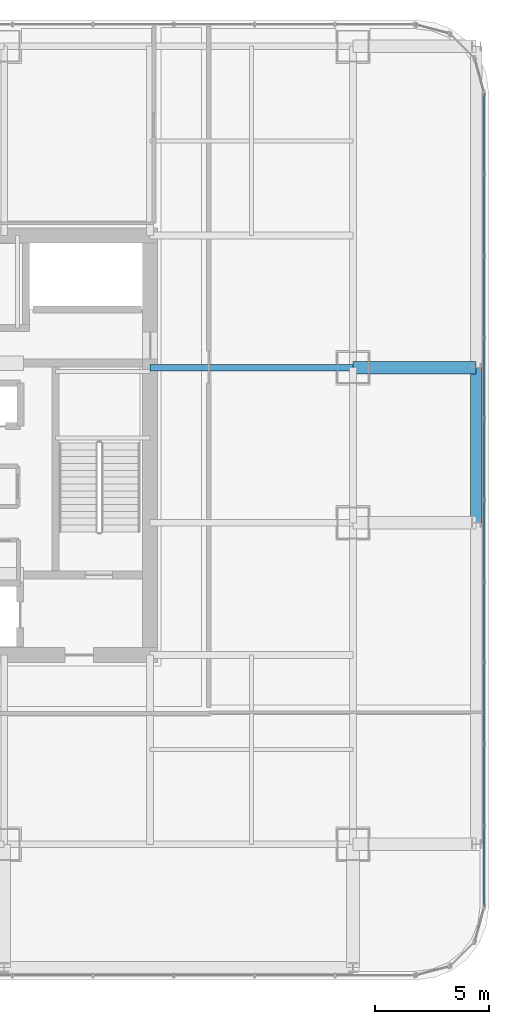
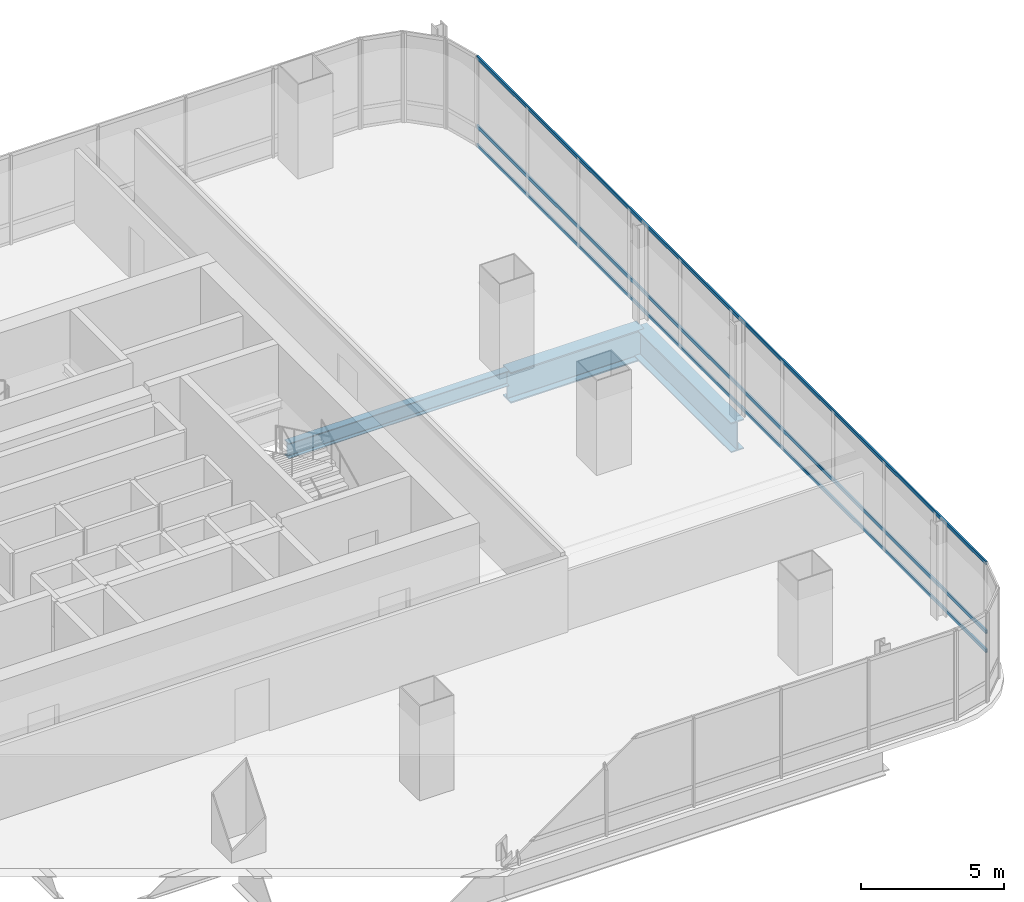
# One storey, part 18 of 36: 3 beams, 3 members, 1 element without a shape of its own.
"""IFC4 building model written with IfcOpenShell, lengths in metres."""

import ifcopenshell
import ifcopenshell.guid

model = None  # the IFC model being written
_history = None  # IfcOwnerHistory: only IFC2X3 demands one
_inside = {}  # id of a spatial element -> (the spatial element, [elements in it])
_under = {}  # id of a project, library or spatial element -> (it, [spatial elements below it])
_declared = {}  # id of a project -> (the project, [libraries it declares])
_typed = {}  # id of a type object -> (the type object, [elements of that type])
_made_of = {}  # id of a material, layer set ... -> (it, [elements and type objects made of it])


def new_model(schema):
    """Start an empty IFC model of exactly this schema.

    Asked for "IFC4X3", IfcOpenShell would pick the latest addendum, in which some entities
    have other attributes; the version numbers below select the first issue.
    IFC2X3 requires an IfcOwnerHistory on every rooted entity: one is made here for all.
    """
    global model, _history
    if schema == "IFC4X3":
        model = ifcopenshell.file(schema_version=(4, 3, 0, 0))
    else:
        model = ifcopenshell.file(schema=schema)
    _inside.clear()
    _under.clear()
    _declared.clear()
    _typed.clear()
    _made_of.clear()
    _history = None
    if model.schema == "IFC2X3":
        org = make("IfcOrganization", Name="unknown")
        user = make(
            "IfcPersonAndOrganization",
            ThePerson=make("IfcPerson", FamilyName="unknown"),
            TheOrganization=org,
        )
        app = make(
            "IfcApplication",
            ApplicationDeveloper=org,
            Version="unknown",
            ApplicationFullName="unknown",
            ApplicationIdentifier="unknown",
        )
        _history = make(
            "IfcOwnerHistory",
            OwningUser=user,
            OwningApplication=app,
            ChangeAction="ADDED",
            CreationDate=0,
        )
    return model


def make(cls, **values):
    """One entity of the class cls with the attributes given. An attribute that is None is left unset."""
    return model.create_entity(
        cls, **{name: value for name, value in values.items() if value is not None}
    )


def rooted(cls, **values):
    """An entity with a GlobalId (a new one), such as an element, a storey or a relation."""
    return make(cls, GlobalId=ifcopenshell.guid.new(), OwnerHistory=_history, **values)


def si_unit(unit_type, name, prefix=None):
    """IfcSIUnit, for example si_unit("LENGTHUNIT", "METRE", prefix="MILLI")."""
    return make("IfcSIUnit", UnitType=unit_type, Prefix=prefix, Name=name)


def assignment(units):
    """IfcUnitAssignment: the units of a project."""
    return None if units is None else make("IfcUnitAssignment", Units=units)


def point(xyz):
    """IfcCartesianPoint."""
    return None if xyz is None else make("IfcCartesianPoint", Coordinates=xyz)


def direction(xyz):
    """IfcDirection."""
    return None if xyz is None else make("IfcDirection", DirectionRatios=xyz)


def frame(location, z_axis=None, x_axis=None):
    """IfcAxis2Placement3D, a coordinate frame: its origin and axes. An axis left out is left unset."""
    return make(
        "IfcAxis2Placement3D",
        Location=point(location),
        Axis=direction(z_axis),
        RefDirection=direction(x_axis),
    )


def frame_2d(location, x_axis=None):
    """IfcAxis2Placement2D, a coordinate frame in the plane: its origin and x axis."""
    return make(
        "IfcAxis2Placement2D", Location=point(location), RefDirection=direction(x_axis)
    )


def origin():
    """The frame at (0, 0, 0) with its axes left unset."""
    return frame((0.0, 0.0, 0.0))


def origin_2d():
    """The frame at (0, 0) in the plane with its x axis left unset."""
    return frame_2d((0.0, 0.0))


def place(relative_to, where):
    """IfcLocalPlacement: puts the frame where relative to a parent placement (None: the world)."""
    return make(
        "IfcLocalPlacement", PlacementRelTo=relative_to, RelativePlacement=where
    )


def context(
    kind, dimensions, precision=None, world=None, true_north=None, identifier=None
):
    """IfcGeometricRepresentationContext, for example the 3D "Model" context."""
    return make(
        "IfcGeometricRepresentationContext",
        ContextIdentifier=identifier,
        ContextType=kind,
        CoordinateSpaceDimension=dimensions,
        Precision=precision,
        WorldCoordinateSystem=world,
        TrueNorth=true_north,
    )


def subcontext(parent, identifier, kind, view, scale=None):
    """IfcGeometricRepresentationSubContext, for example "Body" below "Model"."""
    return make(
        "IfcGeometricRepresentationSubContext",
        ContextIdentifier=identifier,
        ContextType=kind,
        ParentContext=parent,
        TargetScale=scale,
        TargetView=view,
    )


def project(units=None, contexts=None):
    """IfcProject with its units and contexts."""
    return rooted(
        "IfcProject",
        Name="project",
        RepresentationContexts=contexts,
        UnitsInContext=assignment(units),
    )


def spatial(cls, under=None, at=None, **own):
    """A site, building, storey or space (cls), placed at a placement, below another one or the project."""
    s = rooted(cls, ObjectPlacement=at, **own)
    if under is not None:
        _under.setdefault(under.id(), (under, []))[1].append(s)
    return s


def profile(cls, at=None, kind="AREA", **sizes):
    """A parametric profile (cls). Its sizes go by their IFC names, for example OverallWidth=200.0."""
    return make(cls, ProfileType=kind, Position=at, **sizes)


def hollow_rectangle(**sizes):
    """IfcRectangleHollowProfileDef."""
    return profile("IfcRectangleHollowProfileDef", **sizes)


def i_section(**sizes):
    """IfcIShapeProfileDef."""
    return profile("IfcIShapeProfileDef", **sizes)


def extrude(swept, where, along, depth):
    """IfcExtrudedAreaSolid: the profile swept, set in the frame where, extruded along a direction by depth."""
    return make(
        "IfcExtrudedAreaSolid",
        SweptArea=swept,
        Position=where,
        ExtrudedDirection=direction(along),
        Depth=depth,
    )


def shape(context_of_items, identifier, shape_type, items):
    """IfcShapeRepresentation: the items that make up one representation, for example the "Body"."""
    return make(
        "IfcShapeRepresentation",
        ContextOfItems=context_of_items,
        RepresentationIdentifier=identifier,
        RepresentationType=shape_type,
        Items=items,
    )


def material(Name=None, Category=None):
    """IfcMaterial."""
    return make("IfcMaterial", Name=Name, Category=Category)


def material_profile(
    of_material, cross_section, Name=None, Category=None, Priority=None
):
    """IfcMaterialProfile: a cross section and its material."""
    return make(
        "IfcMaterialProfile",
        Name=Name,
        Material=of_material,
        Profile=cross_section,
        Priority=Priority,
        Category=Category,
    )


def profile_set(profiles, Name=None, composite=None):
    """IfcMaterialProfileSet."""
    return make(
        "IfcMaterialProfileSet",
        Name=Name,
        MaterialProfiles=profiles,
        CompositeProfile=composite,
    )


def made_of(thing, what):
    """Note that an element or type object is made of a material, layer set ...; save() writes the relation."""
    if what is not None:
        _made_of.setdefault(what.id(), (what, []))[1].append(thing)
    return thing


def type_object(cls, material=None, **own):
    """A type object (cls), such as IfcWallType, which elements share."""
    return made_of(rooted(cls, **own), material)


def element(
    cls,
    number,
    at=None,
    inside=None,
    cuts=None,
    type_object=None,
    material=None,
    context=None,
    identifier="Body",
    shape_type=None,
    held_by="IfcProductDefinitionShape",
    body=None,
    shapes=None,
    **own,
):
    """One element of the class cls, such as IfcWall. Its Tag is "e" and its number.

    at: its placement. inside: the storey or other place that contains it. cuts: it is an
    opening in that element (IfcRelVoidsElement). A single representation is given by context,
    identifier, shape_type and body (its items); several are given by shapes. held_by: the class
    of the entity that holds the representations. save() writes the other relations.
    """
    e = rooted(cls, Tag="e%d" % number, ObjectPlacement=at, **own)
    if body is not None:
        shapes = [shape(context, identifier, shape_type, body)]
    if shapes is not None:
        e.Representation = make(held_by, Representations=shapes)
    if inside is not None:
        _inside.setdefault(inside.id(), (inside, []))[1].append(e)
    if cuts is not None:
        rooted(
            "IfcRelVoidsElement", RelatingBuildingElement=cuts, RelatedOpeningElement=e
        )
    if type_object is not None:
        _typed.setdefault(type_object.id(), (type_object, []))[1].append(e)
    return made_of(e, material)


def aggregate(whole, parts):
    """IfcRelAggregates: a whole, such as a stair, and the parts it consists of."""
    return rooted("IfcRelAggregates", RelatingObject=whole, RelatedObjects=parts)


def save(model, path):
    """Write the relations noted so far, then the file.

    IfcRelAggregates (storeys below a building ...), IfcRelContainedInSpatialStructure (elements
    in a storey), IfcRelDefinesByType, IfcRelAssociatesMaterial and IfcRelDeclares: one each for
    every whole, place, type object, material and project.
    """
    for whole, parts in _under.values():
        aggregate(whole, parts)
    for where, things in _inside.values():
        rooted(
            "IfcRelContainedInSpatialStructure",
            RelatedElements=things,
            RelatingStructure=where,
        )
    for kind, things in _typed.values():
        rooted("IfcRelDefinesByType", RelatedObjects=things, RelatingType=kind)
    for what, things in _made_of.values():
        rooted("IfcRelAssociatesMaterial", RelatedObjects=things, RelatingMaterial=what)
    for by, libraries in _declared.values():
        rooted("IfcRelDeclares", RelatingContext=by, RelatedDefinitions=libraries)
    model.write(path)


model = new_model("IFC4")

# Units and contexts
model_context = context("Model", 3, precision=1e-05, world=origin(), true_north=direction((0.0, 1.0)))
body_context = subcontext(model_context, "Body", "Model", "MODEL_VIEW")
ifc_project = project(units=[si_unit("LENGTHUNIT", "METRE"), si_unit("AREAUNIT", "SQUARE_METRE"), si_unit("VOLUMEUNIT", "CUBIC_METRE"), si_unit("PLANEANGLEUNIT", "RADIAN"), si_unit("MASSUNIT", "GRAM", prefix="KILO")], contexts=[model_context])

# Site, building, storey
site_placement = place(None, origin())
site = spatial("IfcSite", under=ifc_project, at=site_placement, CompositionType="ELEMENT")
building_placement = place(site_placement, origin())
building = spatial("IfcBuilding", under=site, at=building_placement, Name="Punatoya Terracotta Tower", CompositionType="ELEMENT")
storey_placement = place(building_placement, frame((0.0, 0.0, 212.699951171875)))
storey = spatial("IfcBuildingStorey", under=building, at=storey_placement, Name="L50", CompositionType="ELEMENT", Elevation=212.699951171875)

# Beams
ifc_material_1 = material(Name="Steel S355", Category="steel")
ifc_material_profile_1 = material_profile(ifc_material_1, i_section(OverallWidth=0.300048828125, OverallDepth=0.64990234375, WebThickness=0.01611328125, FlangeThickness=0.031005859375, FilletRadius=0.01806640625, at=origin_2d()))
ifc_profile_set_1 = profile_set([ifc_material_profile_1], Name="Steel S355")
beam_type_1 = type_object("IfcBeamType", Name="BM-PRI-650", PredefinedType="BEAM", material=ifc_profile_set_1)
beam_1_placement = place(storey_placement, frame((10.199951171875, 3.39990234375, -0.544921875), z_axis=(1.0, 0.0, 0.0), x_axis=(0.0, 1.0, 0.0)))
element("IfcBeam", 1, at=beam_1_placement, inside=storey, type_object=beam_type_1, Name="BM-L50-PR-EE", PredefinedType="BEAM", context=body_context, shape_type="SweptSolid", body=[
    extrude(i_section(OverallWidth=0.300048828125, OverallDepth=0.64990234375, WebThickness=0.01611328125, FlangeThickness=0.031005859375, FilletRadius=0.01806640625, at=origin_2d()), origin(), (0.0, 0.0, 1.0), 8.900146484375),
])
ifc_material_2 = material(Name="Steel S460", Category="steel")
ifc_material_profile_2 = material_profile(ifc_material_2, i_section(OverallWidth=0.56005859375, OverallDepth=1.320068359375, WebThickness=0.035888671875, FlangeThickness=0.054931640625, FilletRadius=0.01806640625, at=origin_2d()))
ifc_profile_set_2 = profile_set([ifc_material_profile_2], Name="Steel S460")
beam_type_2 = type_object("IfcBeamType", Name="BM-TG-BLK", PredefinedType="BEAM", material=ifc_profile_set_2)
beam_2_placement = place(storey_placement, frame((19.10009765625, 3.39990234375, -0.8798828125), z_axis=(1.0, 0.0, 0.0), x_axis=(0.0, 1.0, 0.0)))
element("IfcBeam", 2, at=beam_2_placement, inside=storey, type_object=beam_type_2, Name="BM-L50-CANT-E3", PredefinedType="BEAM", context=body_context, shape_type="SweptSolid", body=[
    extrude(i_section(OverallWidth=0.56005859375, OverallDepth=1.320068359375, WebThickness=0.035888671875, FlangeThickness=0.054931640625, FilletRadius=0.01806640625, at=origin_2d()), origin(), (0.0, 0.0, 1.0), 5.39990234375),
])
ifc_material_profile_3 = material_profile(ifc_material_2, i_section(OverallWidth=0.52001953125, OverallDepth=1.280029296875, WebThickness=0.031982421875, FlangeThickness=0.050048828125, FilletRadius=0.01806640625, at=origin_2d()))
ifc_profile_set_3 = profile_set([ifc_material_profile_3], Name="Steel S460")
beam_type_3 = type_object("IfcBeamType", Name="BM-TG-NCK", PredefinedType="BEAM", material=ifc_profile_set_3)
beam_3_placement = place(storey_placement, frame((24.5, -3.39990234375, -0.85986328125), z_axis=(0.0, 1.0, 0.0), x_axis=(-1.0, 0.0, 0.0)))
element("IfcBeam", 3, at=beam_3_placement, inside=storey, type_object=beam_type_3, Name="BM-L50-PER-E2", PredefinedType="BEAM", context=body_context, shape_type="SweptSolid", body=[
    extrude(i_section(OverallWidth=0.52001953125, OverallDepth=1.280029296875, WebThickness=0.031982421875, FlangeThickness=0.050048828125, FilletRadius=0.01806640625, at=origin_2d()), origin(), (0.0, 0.0, 1.0), 6.7998046875),
])

# Curtain wall, members
ifc_material_3 = material(Name="Aluminium 6063-T6 + Double Low-E Glass", Category="aluminium")
curtain_wall_type = type_object("IfcCurtainWallType", Name="CW-M2", PredefinedType="NOTDEFINED", material=ifc_material_3)
curtain_wall_placement = place(storey_placement, origin())
curtain_wall = element("IfcCurtainWall", 4, at=curtain_wall_placement, inside=storey, type_object=curtain_wall_type, Name="L50 Curtain Wall CW-L50-E05-1", PredefinedType="NOTDEFINED")
ifc_material_4 = material(Name="Aluminium 6063-T6", Category="aluminium")
ifc_material_profile_4 = material_profile(ifc_material_4, hollow_rectangle(XDim=0.068115234375, YDim=0.14990234375, WallThickness=0.00390625, at=origin_2d()))
ifc_profile_set_4 = profile_set([ifc_material_profile_4], Name="Aluminium 6063-T6")
member_type = type_object("IfcMemberType", Name="CW-TRN-TYP", PredefinedType="USERDEFINED", material=ifc_profile_set_4)
member_1_placement = place(storey_placement, frame((24.85009765625, -20.23681640625, 0.0400390625), z_axis=(0.0, 1.0, 0.0), x_axis=(-1.0, 0.0, 0.0)))
member_1 = element("IfcMember", 5, at=member_1_placement, type_object=member_type, Name="CW-L50-E05-1 Transom 1", ObjectType="TRANSOM", PredefinedType="USERDEFINED", context=body_context, shape_type="SweptSolid", body=[
    extrude(hollow_rectangle(XDim=0.068115234375, YDim=0.14990234375, WallThickness=0.00390625, at=origin_2d()), origin(), (0.0, 0.0, 1.0), 35.673828125),
])
member_2_placement = place(storey_placement, frame((24.85009765625, -20.23681640625, 0.85009765625), z_axis=(0.0, 1.0, 0.0), x_axis=(-1.0, 0.0, 0.0)))
member_2 = element("IfcMember", 6, at=member_2_placement, type_object=member_type, Name="CW-L50-E05-1 Transom 2", ObjectType="TRANSOM", PredefinedType="USERDEFINED", context=body_context, shape_type="SweptSolid", body=[
    extrude(hollow_rectangle(XDim=0.068115234375, YDim=0.14990234375, WallThickness=0.00390625, at=origin_2d()), origin(), (0.0, 0.0, 1.0), 35.673828125),
])
member_3_placement = place(storey_placement, frame((24.85009765625, -20.23681640625, 3.7900390625), z_axis=(0.0, 1.0, 0.0), x_axis=(-1.0, 0.0, 0.0)))
member_3 = element("IfcMember", 7, at=member_3_placement, type_object=member_type, Name="CW-L50-E05-1 Transom 3", ObjectType="TRANSOM", PredefinedType="USERDEFINED", context=body_context, shape_type="SweptSolid", body=[
    extrude(hollow_rectangle(XDim=0.068115234375, YDim=0.14990234375, WallThickness=0.00390625, at=origin_2d()), origin(), (0.0, 0.0, 1.0), 35.673828125),
])
aggregate(curtain_wall, [member_1, member_2, member_3])

save(model, "model.ifc")
